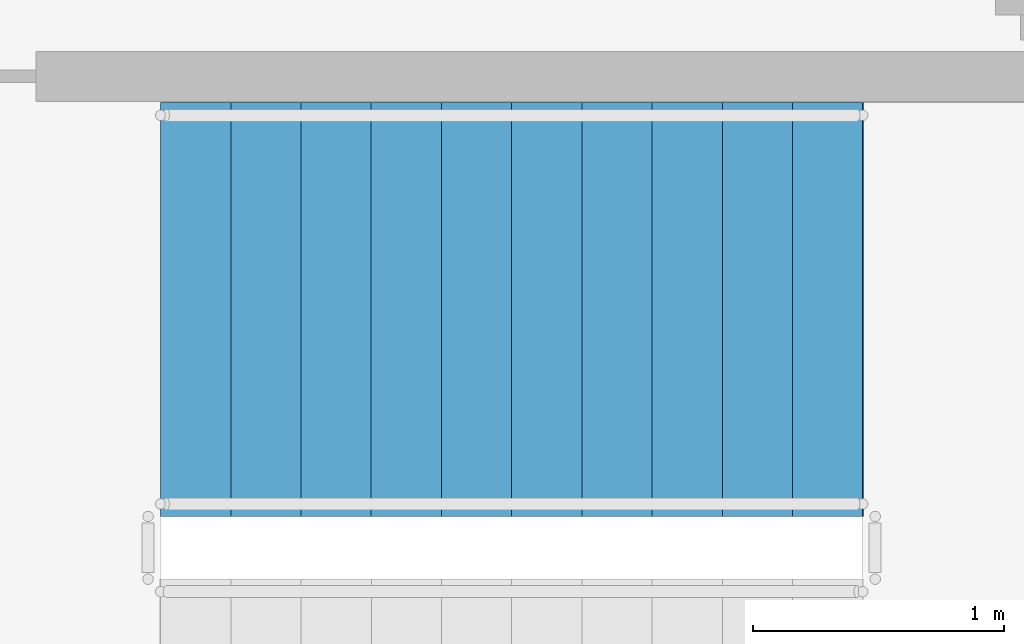
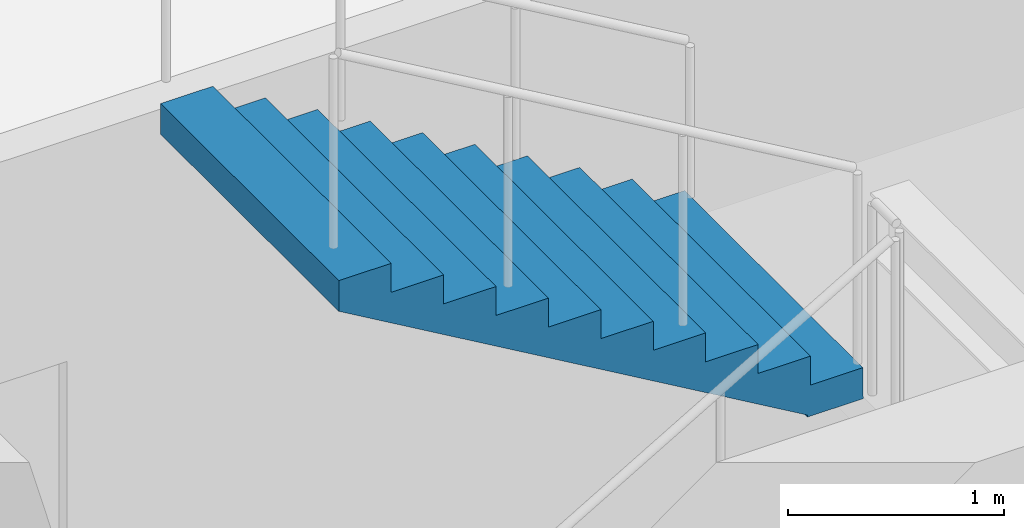
# One storey, part 9 of 12: 1 stair flight, 1 element without a shape of its own.
"""IFC4 building model written with IfcOpenShell, lengths in metres."""

from ifc_helpers import new_model, si_unit, direction, frame, origin, place, context, subcontext, project, spatial, polyline, outline, extrude, source, transform, mapped, material, type_object, element, aggregate, save


model = new_model("IFC4")

# Units and contexts
model_context = context("Model", 3, precision=1e-05, world=origin(), true_north=direction((0.0, 1.0)))
body_context = subcontext(model_context, "Body", "Model", "MODEL_VIEW")
ifc_project = project(units=[si_unit("LENGTHUNIT", "METRE"), si_unit("AREAUNIT", "SQUARE_METRE"), si_unit("VOLUMEUNIT", "CUBIC_METRE"), si_unit("PLANEANGLEUNIT", "RADIAN"), si_unit("MASSUNIT", "GRAM", prefix="KILO")], contexts=[model_context])

# Site, building, storey
site_placement = place(None, origin())
site = spatial("IfcSite", under=ifc_project, at=site_placement, CompositionType="ELEMENT")
building_placement = place(site_placement, origin())
building = spatial("IfcBuilding", under=site, at=building_placement, Name="Kharzan Plaza Tower", CompositionType="ELEMENT")
storey_placement = place(building_placement, frame((0.0, 0.0, 164.699951171875)))
storey = spatial("IfcBuildingStorey", under=building, at=storey_placement, Name="L44", CompositionType="ELEMENT", Elevation=164.699951171875)

# Stair, stair flight
ifc_material = material(Name="Concrete C40/50", Category="concrete")
stair_type = type_object("IfcStairType", Name="STR-ST-3", PredefinedType="HALF_TURN_STAIR", material=ifc_material)
stair_placement = place(storey_placement, origin())
stair = element("IfcStair", 1, at=stair_placement, inside=storey, type_object=stair_type, Name="L44 Protected Exit Stair ST-3", PredefinedType="HALF_TURN_STAIR")
stair_flight_type = type_object("IfcStairFlightType", Name="SFL-1650-R173", PredefinedType="STRAIGHT", material=ifc_material)
shared_shape = source(origin(), body_context, "Body", "SweptSolid", [
    extrude(outline(polyline([(-0.0029296875, -0.011962890625), (-0.0029296875, 0.0), (0.0, 0.0), (0.0, 0.16357421875), (0.280029296875, 0.16357421875), (0.280029296875, 0.3271484375), (0.56005859375, 0.3271484375), (0.56005859375, 0.49072265625), (0.840087890625, 0.49072265625), (0.840087890625, 0.654296875), (1.1201171875, 0.654296875), (1.1201171875, 0.81787109375), (1.400146484375, 0.81787109375), (1.400146484375, 0.9814453125), (1.68017578125, 0.9814453125), (1.68017578125, 1.14501953125), (1.960205078125, 1.14501953125), (1.960205078125, 1.30859375), (2.240234375, 1.30859375), (2.240234375, 1.47216796875), (2.520263671875, 1.47216796875), (2.520263671875, 1.6357421875), (2.80029296875, 1.6357421875), (2.80029296875, 1.79931640625), (2.80029296875, 1.462158203125), (0.297119140625, 0.0), (0.297119140625, -0.011962890625), (-0.0029296875, -0.011962890625)])), frame((0.0, 0.824951171875, 0.0), z_axis=(0.0, -1.0, 0.0), x_axis=(1.0, 0.0, 0.0)), (0.0, 0.0, 1.0), 1.64990234375),
])
stair_flight_placement = place(storey_placement, frame((41.050048828125, 7.72509765625, 1.800048828125), z_axis=(0.0, 0.0, 1.0), x_axis=(-1.0, 0.0, 0.0)))
stair_flight = element("IfcStairFlight", 2, at=stair_flight_placement, type_object=stair_flight_type, Name="ST-3 flight 2", NumberOfRisers=11, NumberOfTreads=10, PredefinedType="STRAIGHT", RiserHeight=0.163636364, TreadLength=0.28, context=body_context, shape_type="MappedRepresentation", body=[
    mapped(shared_shape, transform((0.0, 0.0, 0.0), x_axis=(1.0, 0.0, 0.0), y_axis=(0.0, 1.0, 0.0), z_axis=(0.0, 0.0, 1.0))),
])
aggregate(stair, [stair_flight])

save(model, "model.ifc")
